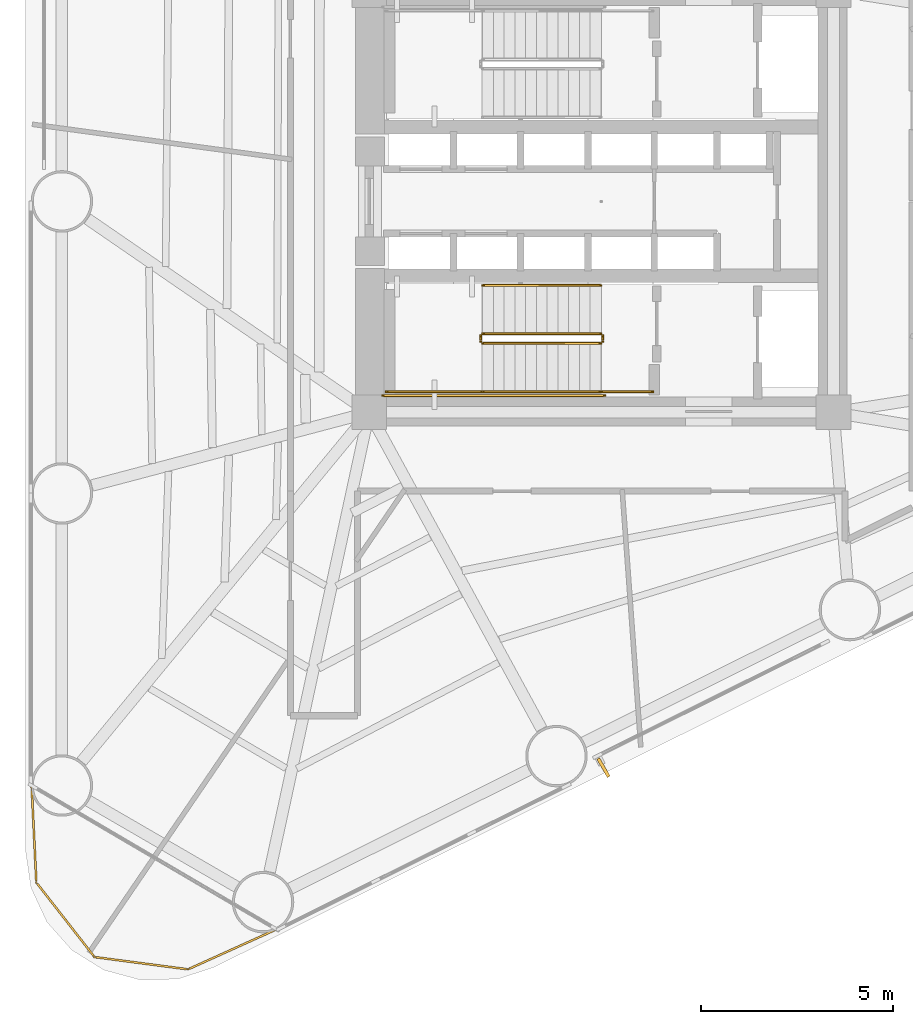
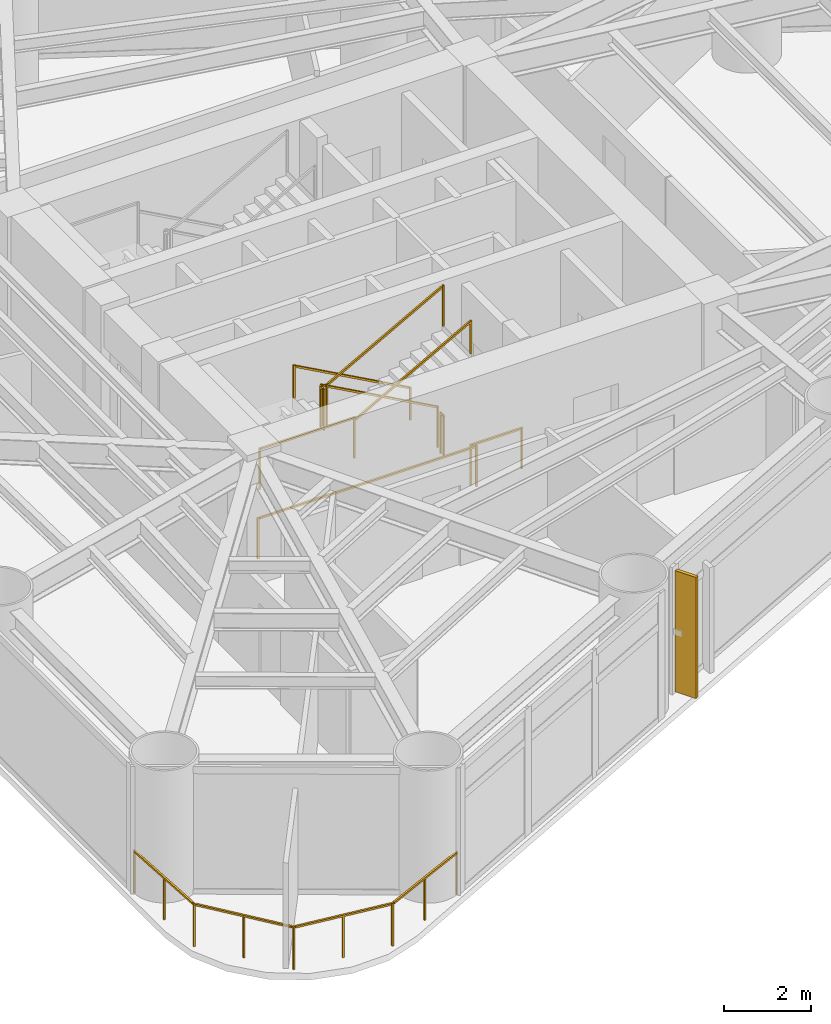
# One storey, part 8 of 10: 10 railings, 1 shading device.
"""IFC4 building model written with IfcOpenShell, lengths in metres."""

from ifc_helpers import new_model, si_unit, direction, frame, origin, origin_2d, place, context, subcontext, project, spatial, rectangle, extrude, source, transform, mapped, material, material_profile, profile_set, type_object, element, save


model = new_model("IFC4")

# Units and contexts
model_context = context("Model", 3, precision=1e-05, world=origin(), true_north=direction((0.0, 1.0)))
body_context = subcontext(model_context, "Body", "Model", "MODEL_VIEW")
ifc_project = project(units=[si_unit("LENGTHUNIT", "METRE"), si_unit("AREAUNIT", "SQUARE_METRE"), si_unit("VOLUMEUNIT", "CUBIC_METRE"), si_unit("PLANEANGLEUNIT", "RADIAN"), si_unit("MASSUNIT", "GRAM", prefix="KILO")], contexts=[model_context])

# Site, building, storey
site_placement = place(None, origin())
site = spatial("IfcSite", under=ifc_project, at=site_placement, CompositionType="ELEMENT")
building_placement = place(site_placement, origin())
building = spatial("IfcBuilding", under=site, at=building_placement, Name="Yunling Apex Tower", CompositionType="ELEMENT")
storey_placement = place(building_placement, frame((0.0, 0.0, 38.60009765625)))
storey = spatial("IfcBuildingStorey", under=building, at=storey_placement, Name="L11", CompositionType="ELEMENT", Elevation=38.60009765625)

# Railings
ifc_material_1 = material(Name="Bronze anodised aluminium", Category="aluminium")
railing_type_1 = type_object("IfcRailingType", Name="RL-BAL-1200", PredefinedType="BALUSTRADE", material=ifc_material_1)
railing_1_placement = place(storey_placement, frame((-8.45947265625, -18.965087890625, 0.0)))
element("IfcRailing", 1, at=railing_1_placement, inside=storey, type_object=railing_type_1, Name="RL-CRNSILL-L11-3", PredefinedType="BALUSTRADE", context=body_context, shape_type="SweptSolid", body=[
    extrude(rectangle(XDim=0.0439453125, YDim=0.0439453125, at=origin_2d()), origin(), (0.0, 0.0, 1.0), 1.199951171875),
    extrude(rectangle(XDim=0.0439453125, YDim=0.0439453125, at=origin_2d()), frame((-2.30712890625, -1.04296875, 0.0)), (0.0, 0.0, 1.0), 1.199951171875),
    extrude(rectangle(XDim=0.050048828125, YDim=0.050048828125, at=origin_2d()), frame((-0.034912109375, -0.015869140625, 1.1748046875), z_axis=(-0.911216522497, -0.411927723186, 0.0), x_axis=(0.411927723186, -0.911216522497, 0.0)), (0.0, 0.0, 1.0), 2.455322265625),
    extrude(rectangle(XDim=0.0439453125, YDim=0.0439453125, at=origin_2d()), frame((-1.153564453125, -0.521484375, 0.0)), (0.0, 0.0, 1.0), 1.14599609375),
    extrude(rectangle(XDim=0.0439453125, YDim=0.0439453125, at=origin_2d()), frame((-4.741943359375, -0.723388671875, 0.0)), (0.0, 0.0, 1.0), 1.199951171875),
    extrude(rectangle(XDim=0.050048828125, YDim=0.050048828125, at=origin_2d()), frame((-2.34521484375, -1.0380859375, 1.1748046875), z_axis=(-0.991495866646, 0.130138182035, 0.0), x_axis=(-0.130138182035, -0.991495866646, 0.0)), (0.0, 0.0, 1.0), 2.379150390625),
    extrude(rectangle(XDim=0.0439453125, YDim=0.0439453125, at=origin_2d()), frame((-3.5244140625, -0.88330078125, 0.0)), (0.0, 0.0, 1.0), 1.14599609375),
    extrude(rectangle(XDim=0.0439453125, YDim=0.0439453125, at=origin_2d()), frame((-6.258544921875, 1.21826171875, 0.0)), (0.0, 0.0, 1.0), 1.199951171875),
    extrude(rectangle(XDim=0.050048828125, YDim=0.050048828125, at=origin_2d()), frame((-4.765625, -0.693115234375, 1.1748046875), z_axis=(-0.615565197226, 0.788085964832, 0.0), x_axis=(-0.788085964832, -0.615565197226, 0.0)), (0.0, 0.0, 1.0), 2.38720703125),
    extrude(rectangle(XDim=0.0439453125, YDim=0.0439453125, at=origin_2d()), frame((-5.500244140625, 0.24755859375, 0.0)), (0.0, 0.0, 1.0), 1.14599609375),
    extrude(rectangle(XDim=0.0439453125, YDim=0.0439453125, at=origin_2d()), frame((-6.382568359375, 3.74609375, 0.0)), (0.0, 0.0, 1.0), 1.199951171875),
    extrude(rectangle(XDim=0.050048828125, YDim=0.050048828125, at=origin_2d()), frame((-6.260498046875, 1.256591796875, 1.1748046875), z_axis=(-0.049004218115, 0.998798571588, 0.0), x_axis=(-0.998798571588, -0.049004218115, 0.0)), (0.0, 0.0, 1.0), 2.4541015625),
    extrude(rectangle(XDim=0.0439453125, YDim=0.0439453125, at=origin_2d()), frame((-6.320556640625, 2.482177734375, 0.0)), (0.0, 0.0, 1.0), 1.14599609375),
])
ifc_material_2 = material(Name="Steel Q355B", Category="steel")
railing_type_2 = type_object("IfcRailingType", Name="RL-GRD-1150", PredefinedType="GUARDRAIL", material=ifc_material_2)
railing_2_placement = place(storey_placement, frame((-0.010009765625, -3.449951171875, 0.154052734375)))
element("IfcRailing", 2, at=railing_2_placement, inside=storey, type_object=railing_type_2, Name="L11 ST-2 stair guard 1", PredefinedType="GUARDRAIL", context=body_context, shape_type="SweptSolid", body=[
    extrude(rectangle(XDim=0.0439453125, YDim=0.0439453125, at=origin_2d()), origin(), (0.0, 0.0, 1.0), 1.14990234375),
    extrude(rectangle(XDim=0.0439453125, YDim=0.0439453125, at=origin_2d()), frame((-3.080078125, 0.0, 1.69580078125)), (0.0, 0.0, 1.0), 1.14990234375),
    extrude(rectangle(XDim=0.050048828125, YDim=0.050048828125, at=origin_2d()), frame((-0.03369140625, 0.0, 1.143310546875), z_axis=(-0.876004717809, 0.0, 0.482302534076), x_axis=(0.0, -1.0, 0.0)), (0.0, 0.0, 1.0), 3.439453125),
])
railing_3_placement = place(storey_placement, frame((-3.139892578125, -3.5, 1.849853515625)))
element("IfcRailing", 3, at=railing_3_placement, inside=storey, type_object=railing_type_2, Name="L11 ST-2 stair guard 2", PredefinedType="GUARDRAIL", context=body_context, shape_type="SweptSolid", body=[
    extrude(rectangle(XDim=0.0439453125, YDim=0.0439453125, at=origin_2d()), origin(), (0.0, 0.0, 1.0), 1.14990234375),
    extrude(rectangle(XDim=0.0439453125, YDim=0.0439453125, at=origin_2d()), frame((0.0, -0.14990234375, 0.0)), (0.0, 0.0, 1.0), 1.14990234375),
    extrude(rectangle(XDim=0.050048828125, YDim=0.050048828125, at=origin_2d()), frame((0.0, -0.038330078125, 1.125), z_axis=(0.0, -1.0, 0.0), x_axis=(1.0, 0.0, 0.0)), (0.0, 0.0, 1.0), 0.0732421875),
])
railing_4_placement = place(storey_placement, frame((-3.090087890625, -4.9599609375, 1.849853515625)))
element("IfcRailing", 4, at=railing_4_placement, inside=storey, type_object=railing_type_2, Name="L11 ST-2 stair guard 3", PredefinedType="GUARDRAIL", context=body_context, shape_type="SweptSolid", body=[
    extrude(rectangle(XDim=0.0439453125, YDim=0.0439453125, at=origin_2d()), origin(), (0.0, 0.0, 1.0), 1.14990234375),
    extrude(rectangle(XDim=0.0439453125, YDim=0.0439453125, at=origin_2d()), frame((-2.510009765625, 0.0, 0.0)), (0.0, 0.0, 1.0), 1.14990234375),
    extrude(rectangle(XDim=0.050048828125, YDim=0.050048828125, at=origin_2d()), frame((-0.038330078125, 0.0, 1.125), z_axis=(-1.0, 0.0, 0.0), x_axis=(0.0, -1.0, 0.0)), (0.0, 0.0, 1.0), 2.433349609375),
])
railing_5_placement = place(storey_placement, frame((-3.090087890625, -3.699951171875, 2.004150390625)))
element("IfcRailing", 5, at=railing_5_placement, inside=storey, type_object=railing_type_2, Name="L11 ST-2 stair guard 4", PredefinedType="GUARDRAIL", context=body_context, shape_type="SweptSolid", body=[
    extrude(rectangle(XDim=0.0439453125, YDim=0.0439453125, at=origin_2d()), origin(), (0.0, 0.0, 1.0), 1.14990234375),
    extrude(rectangle(XDim=0.0439453125, YDim=0.0439453125, at=origin_2d()), frame((3.080078125, 0.0, 1.69580078125)), (0.0, 0.0, 1.0), 1.14990234375),
    extrude(rectangle(XDim=0.050048828125, YDim=0.050048828125, at=origin_2d()), frame((0.03369140625, 0.0, 1.143310546875), z_axis=(0.876004717809, 0.0, 0.482302534076), x_axis=(0.0, 1.0, 0.0)), (0.0, 0.0, 1.0), 3.439453125),
])
railing_6_placement = place(storey_placement, frame((0.0400390625, -3.5, 0.0)))
element("IfcRailing", 6, at=railing_6_placement, inside=storey, type_object=railing_type_2, Name="L11 ST-2 stair guard 5", PredefinedType="GUARDRAIL", context=body_context, shape_type="SweptSolid", body=[
    extrude(rectangle(XDim=0.0439453125, YDim=0.0439453125, at=origin_2d()), origin(), (0.0, 0.0, 1.0), 1.14990234375),
    extrude(rectangle(XDim=0.0439453125, YDim=0.0439453125, at=origin_2d()), frame((0.0, -0.14990234375, 0.0)), (0.0, 0.0, 1.0), 1.14990234375),
    extrude(rectangle(XDim=0.050048828125, YDim=0.050048828125, at=origin_2d()), frame((0.0, -0.038330078125, 1.125), z_axis=(0.0, -1.0, 0.0), x_axis=(1.0, 0.0, 0.0)), (0.0, 0.0, 1.0), 0.0732421875),
])
railing_7_placement = place(storey_placement, frame((1.35009765625, -4.9599609375, 0.0)))
element("IfcRailing", 7, at=railing_7_placement, inside=storey, type_object=railing_type_2, Name="L11 ST-2 stair guard 6", PredefinedType="GUARDRAIL", context=body_context, shape_type="SweptSolid", body=[
    extrude(rectangle(XDim=0.0439453125, YDim=0.0439453125, at=origin_2d()), origin(), (0.0, 0.0, 1.0), 1.14990234375),
    extrude(rectangle(XDim=0.0439453125, YDim=0.0439453125, at=origin_2d()), frame((-1.360107421875, 0.0, 0.0)), (0.0, 0.0, 1.0), 1.14990234375),
    extrude(rectangle(XDim=0.050048828125, YDim=0.050048828125, at=origin_2d()), frame((-0.038330078125, 0.0, 1.125), z_axis=(-1.0, 0.0, 0.0), x_axis=(0.0, -1.0, 0.0)), (0.0, 0.0, 1.0), 1.283447265625),
])
railing_8_placement = place(storey_placement, frame((0.090087890625, -5.06005859375, 0.0)))
element("IfcRailing", 8, at=railing_8_placement, inside=storey, type_object=railing_type_2, Name="L11 ST-2 stair guard 7", PredefinedType="GUARDRAIL", context=body_context, shape_type="SweptSolid", body=[
    extrude(rectangle(XDim=0.0439453125, YDim=0.0439453125, at=origin_2d()), origin(), (0.0, 0.0, 1.0), 1.14990234375),
    extrude(rectangle(XDim=0.0439453125, YDim=0.0439453125, at=origin_2d()), frame((-5.7900390625, 0.0, 0.0)), (0.0, 0.0, 1.0), 1.14990234375),
    extrude(rectangle(XDim=0.050048828125, YDim=0.050048828125, at=origin_2d()), frame((-0.038330078125, 0.0, 1.125), z_axis=(-1.0, 0.0, 0.0), x_axis=(0.0, -1.0, 0.0)), (0.0, 0.0, 1.0), 5.71337890625),
])
ifc_material_3 = material(Name="Silver anodised aluminium", Category="aluminium")
railing_type_3 = type_object("IfcRailingType", Name="RL-HND-900", PredefinedType="HANDRAIL", material=ifc_material_3)
railing_9_placement = place(storey_placement, frame((-0.010009765625, -2.18994140625, 0.154052734375)))
element("IfcRailing", 9, at=railing_9_placement, inside=storey, type_object=railing_type_3, Name="L11 ST-2 stair handrail 1", PredefinedType="HANDRAIL", context=body_context, shape_type="SweptSolid", body=[
    extrude(rectangle(XDim=0.0439453125, YDim=0.0439453125, at=origin_2d()), origin(), (0.0, 0.0, 1.0), 0.919921875),
    extrude(rectangle(XDim=0.0439453125, YDim=0.0439453125, at=origin_2d()), frame((-3.080078125, 0.0, 1.69580078125)), (0.0, 0.0, 1.0), 0.919921875),
    extrude(rectangle(XDim=0.050048828125, YDim=0.050048828125, at=origin_2d()), frame((-0.03369140625, 0.0, 0.913330078125), z_axis=(-0.876004717809, 0.0, 0.482302534076), x_axis=(0.0, -1.0, 0.0)), (0.0, 0.0, 1.0), 3.439453125),
])
railing_10_placement = place(storey_placement, frame((-3.090087890625, -4.9599609375, 2.004150390625)))
element("IfcRailing", 10, at=railing_10_placement, inside=storey, type_object=railing_type_3, Name="L11 ST-2 stair handrail 2", PredefinedType="HANDRAIL", context=body_context, shape_type="SweptSolid", body=[
    extrude(rectangle(XDim=0.0439453125, YDim=0.0439453125, at=origin_2d()), origin(), (0.0, 0.0, 1.0), 0.919921875),
    extrude(rectangle(XDim=0.0439453125, YDim=0.0439453125, at=origin_2d()), frame((3.080078125, 0.0, 1.69580078125)), (0.0, 0.0, 1.0), 0.919921875),
    extrude(rectangle(XDim=0.050048828125, YDim=0.050048828125, at=origin_2d()), frame((0.03369140625, 0.0, 0.913330078125), z_axis=(0.876004717809, 0.0, 0.482302534076), x_axis=(0.0, 1.0, 0.0)), (0.0, 0.0, 1.0), 3.439453125),
])

# Shading device
ifc_material_profile = material_profile(ifc_material_1, rectangle(XDim=0.0849609375, YDim=0.550048828125, at=origin_2d()))
ifc_profile_set = profile_set([ifc_material_profile], Name="Bronze anodised aluminium")
shading_device_type = type_object("IfcShadingDeviceType", Name="FN-BRZ-3", PredefinedType="USERDEFINED", material=ifc_profile_set)
shared_shape = source(origin(), body_context, "Body", "SweptSolid", [
    extrude(rectangle(XDim=0.0849609375, YDim=0.550048828125, at=origin_2d()), origin(), (0.0, 0.0, 1.0), 3.39501953125),
])
shading_device_placement = place(storey_placement, frame((0.0576171875, -14.75390625, 0.059814453125), z_axis=(0.0, 0.0, 1.0), x_axis=(0.864186995248, 0.503170783377, 0.0)))
element("IfcShadingDevice", 11, at=shading_device_placement, inside=storey, type_object=shading_device_type, Name="CW-L11-F1-B2-FIN-01", ObjectType="FIN", PredefinedType="USERDEFINED", context=body_context, shape_type="MappedRepresentation", body=[
    mapped(shared_shape, transform((0.0, 0.0, 0.0), scale=1.0)),
])

save(model, "model.ifc")
